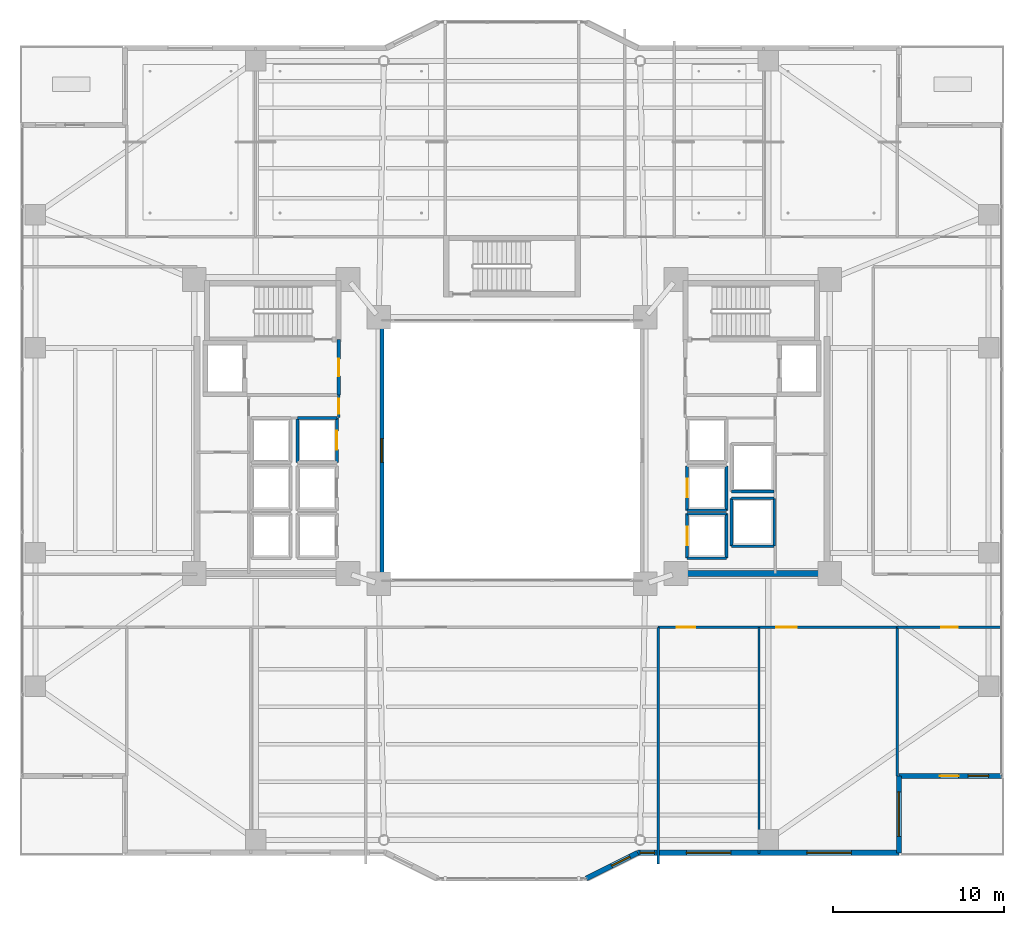
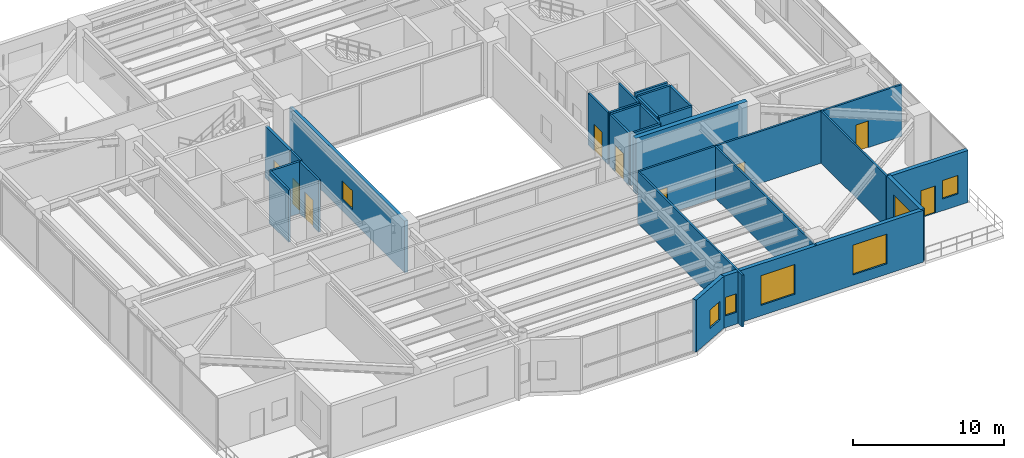
# One storey, part 30 of 39: 28 walls, 9 doors, 7 windows, 16 openings.
"""IFC4 building model written with IfcOpenShell, lengths in metres."""

from ifc_helpers import new_model, si_unit, direction, frame, frame_2d, origin, place, context, subcontext, project, spatial, rectangle, extrude, material, layer, layer_set, type_object, element, fill, save


model = new_model("IFC4")

# Units and contexts
model_context = context("Model", 3, precision=1e-05, world=origin(), true_north=direction((0.0, 1.0)))
body_context = subcontext(model_context, "Body", "Model", "MODEL_VIEW")
ifc_project = project(units=[si_unit("LENGTHUNIT", "METRE"), si_unit("AREAUNIT", "SQUARE_METRE"), si_unit("VOLUMEUNIT", "CUBIC_METRE"), si_unit("PLANEANGLEUNIT", "RADIAN"), si_unit("MASSUNIT", "GRAM", prefix="KILO")], contexts=[model_context])

# Site, building, storey
site_placement = place(None, origin())
site = spatial("IfcSite", under=ifc_project, at=site_placement, CompositionType="ELEMENT")
building_placement = place(site_placement, origin())
building = spatial("IfcBuilding", under=site, at=building_placement, Name="Tarnavaz Court Tower", CompositionType="ELEMENT")
storey_placement = place(building_placement, frame((0.0, 0.0, 68.699951171875)))
storey = spatial("IfcBuildingStorey", under=building, at=storey_placement, Name="L18", CompositionType="ELEMENT", Elevation=68.699951171875)

# Wall
ifc_material_1 = material(Name="Concrete C60/75", Category="concrete")
ifc_layer_1 = layer(ifc_material_1, 0.35009765625)
ifc_layer_set_1 = layer_set([ifc_layer_1], Name="Concrete C60/75")
wall_type_1 = type_object("IfcWallType", Name="WL-CORE-350-C60", PredefinedType="SHEAR", material=ifc_layer_set_1)
wall_1_placement = place(storey_placement, frame((10.074951171875, -7.199951171875, 0.0), z_axis=(0.0, 0.0, 1.0), x_axis=(1.0, 0.0, 0.0)))
element("IfcWall", 1, at=wall_1_placement, inside=storey, type_object=wall_type_1, Name="L18 East Core South Shear Wall 072", PredefinedType="SHEAR", context=body_context, shape_type="SweptSolid", body=[
    extrude(rectangle(XDim=8.550048828125, YDim=0.35009765625, at=frame_2d((4.27490234375, 0.0))), origin(), (0.0, 0.0, 1.0), 4.5),
])

# Wall, openings, door, window
ifc_material_2 = material(Name="Precast Concrete C40/50", Category="concrete")
ifc_layer_2 = layer(ifc_material_2, 0.300048828125)
ifc_layer_set_2 = layer_set([ifc_layer_2], Name="Precast Concrete C40/50")
wall_type_2 = type_object("IfcWallType", Name="WL-EXT-300", PredefinedType="SOLIDWALL", material=ifc_layer_set_2)
wall_2_placement = place(storey_placement, frame((28.64990234375, -19.050048828125, 0.0), z_axis=(0.0, 0.0, 1.0), x_axis=(-1.0, 0.0, 0.0)))
wall_2 = element("IfcWall", 2, at=wall_2_placement, inside=storey, type_object=wall_type_2, Name="L18 Exterior Terracotta Facade Wall 13", PredefinedType="SOLIDWALL", context=body_context, shape_type="SweptSolid", body=[
    extrude(rectangle(XDim=6.0, YDim=0.300048828125, at=frame_2d((3.0, 0.0))), origin(), (0.0, 0.0, 1.0), 4.199951171875),
])
opening_1_placement = place(wall_2_placement, frame((2.5, 0.0, 0.0)))
opening_1 = element("IfcOpeningElement", 3, at=opening_1_placement, cuts=wall_2, Name="Opening TD1", PredefinedType="OPENING", context=body_context, shape_type="SweptSolid", body=[
    extrude(rectangle(XDim=1.10009765625, YDim=2.199951171875, at=frame_2d((0.550048828125, 1.10009765625))), frame((0.0, 0.159912109375, 0.0), z_axis=(0.0, -1.0, 0.0), x_axis=(1.0, 0.0, 0.0)), (0.0, 0.0, 1.0), 0.320068359375),
])
opening_2_placement = place(wall_2_placement, frame((0.7548828125, 0.0, 0.949951171875)))
opening_2 = element("IfcOpeningElement", 4, at=opening_2_placement, cuts=wall_2, Name="Opening W05", PredefinedType="OPENING", context=body_context, shape_type="SweptSolid", body=[
    extrude(rectangle(XDim=1.199951171875, YDim=1.5, at=frame_2d((0.60009765625, 0.75))), frame((0.0, 0.159912109375, 0.0), z_axis=(0.0, -1.0, 0.0), x_axis=(1.0, 0.0, 0.0)), (0.0, 0.0, 1.0), 0.320068359375),
])
ifc_material_3 = material(Name="Thermally Broken Aluminium and Laminated Glass", Category="aluminium")
door_type_1 = type_object("IfcDoorType", Name="DR-TERR-1100", OperationType="NOTDEFINED", PredefinedType="DOOR", material=ifc_material_3)
door_1_placement = place(opening_1_placement, origin())
door_1 = element("IfcDoor", 5, at=door_1_placement, inside=storey, type_object=door_type_1, Name="L18 Sky Terrace Access Door 3", OperationType="SINGLE_SWING_LEFT", OverallHeight=2.199951171875, OverallWidth=1.10009765625, PredefinedType="DOOR", context=body_context, shape_type="SweptSolid", body=[
    extrude(rectangle(XDim=1.10009765625, YDim=2.199951171875, at=frame_2d((0.550048828125, 1.10009765625))), frame((0.0, 0.02490234375, 0.0), z_axis=(0.0, -1.0, 0.0), x_axis=(1.0, 0.0, 0.0)), (0.0, 0.0, 1.0), 0.050048828125),
])
fill(opening_1, door_1)
ifc_material_4 = material(Name="Double-Glazed Solar Low-E Glass", Category="glass")
window_type_1 = type_object("IfcWindowType", Name="WN-APT-1200", PartitioningType="SINGLE_PANEL", PredefinedType="WINDOW", material=ifc_material_4)
window_1_placement = place(opening_2_placement, origin())
window_1 = element("IfcWindow", 6, at=window_1_placement, inside=storey, type_object=window_type_1, Name="L18 L18 SE Terrace Salon Window", OverallHeight=1.5, OverallWidth=1.199951171875, PartitioningType="SINGLE_PANEL", PredefinedType="WINDOW", context=body_context, shape_type="SweptSolid", body=[
    extrude(rectangle(XDim=1.199951171875, YDim=1.5, at=frame_2d((0.60009765625, 0.75))), frame((0.0, 0.030029296875, 0.0), z_axis=(0.0, -1.0, 0.0), x_axis=(1.0, 0.0, 0.0)), (0.0, 0.0, 1.0), 0.06005859375),
])
fill(opening_2, window_1)

# Wall, opening, window
wall_3_placement = place(storey_placement, frame((22.64990234375, -19.050048828125, 0.0), z_axis=(0.0, 0.0, 1.0), x_axis=(0.0, -1.0, 0.0)))
wall_3 = element("IfcWall", 7, at=wall_3_placement, inside=storey, type_object=wall_type_2, Name="L18 Exterior Terracotta Facade Wall 14", PredefinedType="SOLIDWALL", context=body_context, shape_type="SweptSolid", body=[
    extrude(rectangle(XDim=4.5, YDim=0.300048828125, at=frame_2d((2.25, 0.0))), origin(), (0.0, 0.0, 1.0), 4.199951171875),
])
opening_3_placement = place(wall_3_placement, frame((0.9326171875, 0.0, 0.85009765625)))
opening_3 = element("IfcOpeningElement", 8, at=opening_3_placement, cuts=wall_3, Name="Opening W11", PredefinedType="OPENING", context=body_context, shape_type="SweptSolid", body=[
    extrude(rectangle(XDim=2.60009765625, YDim=2.39990234375, at=frame_2d((1.300048828125, 1.199951171875))), frame((0.0, 0.159912109375, 0.0), z_axis=(0.0, -1.0, 0.0), x_axis=(1.0, 0.0, 0.0)), (0.0, 0.0, 1.0), 0.320068359375),
])
window_type_2 = type_object("IfcWindowType", Name="WN-COM-2600", PartitioningType="TRIPLE_PANEL_VERTICAL", PredefinedType="WINDOW", material=ifc_material_4)
window_2_placement = place(opening_3_placement, origin())
window_2 = element("IfcWindow", 9, at=window_2_placement, inside=storey, type_object=window_type_2, Name="L18 Residents Cafe and Tea Room Window", OverallHeight=2.39990234375, OverallWidth=2.60009765625, PartitioningType="SINGLE_PANEL", PredefinedType="WINDOW", context=body_context, shape_type="SweptSolid", body=[
    extrude(rectangle(XDim=2.60009765625, YDim=2.39990234375, at=frame_2d((1.300048828125, 1.199951171875))), frame((0.0, 0.030029296875, 0.0), z_axis=(0.0, -1.0, 0.0), x_axis=(1.0, 0.0, 0.0)), (0.0, 0.0, 1.0), 0.06005859375),
])
fill(opening_3, window_2)

# Wall, openings, windows
wall_4_placement = place(storey_placement, frame((22.64990234375, -23.550048828125, 0.0), z_axis=(0.0, 0.0, 1.0), x_axis=(-1.0, 0.0, 0.0)))
wall_4 = element("IfcWall", 10, at=wall_4_placement, inside=storey, type_object=wall_type_2, Name="L18 Exterior Terracotta Facade Wall 15", PredefinedType="SOLIDWALL", context=body_context, shape_type="SweptSolid", body=[
    extrude(rectangle(XDim=15.2998046875, YDim=0.300048828125, at=frame_2d((7.64990234375, 0.0))), origin(), (0.0, 0.0, 1.0), 4.199951171875),
])
opening_4_placement = place(wall_4_placement, frame((2.788330078125, 0.0, 0.85009765625)))
opening_4 = element("IfcOpeningElement", 11, at=opening_4_placement, cuts=wall_4, Name="Opening W11", PredefinedType="OPENING", context=body_context, shape_type="SweptSolid", body=[
    extrude(rectangle(XDim=2.60009765625, YDim=2.39990234375, at=frame_2d((1.300048828125, 1.199951171875))), frame((0.0, 0.159912109375, 0.0), z_axis=(0.0, -1.0, 0.0), x_axis=(1.0, 0.0, 0.0)), (0.0, 0.0, 1.0), 0.320068359375),
])
opening_5_placement = place(wall_4_placement, frame((9.83642578125, 0.0, 0.85009765625)))
opening_5 = element("IfcOpeningElement", 12, at=opening_5_placement, cuts=wall_4, Name="Opening W11", PredefinedType="OPENING", context=body_context, shape_type="SweptSolid", body=[
    extrude(rectangle(XDim=2.60009765625, YDim=2.39990234375, at=frame_2d((1.300048828125, 1.199951171875))), frame((0.0, 0.159912109375, 0.0), z_axis=(0.0, -1.0, 0.0), x_axis=(1.0, 0.0, 0.0)), (0.0, 0.0, 1.0), 0.320068359375),
])
opening_6_placement = place(wall_4_placement, frame((14.30322265625, 0.0, 0.949951171875)))
opening_6 = element("IfcOpeningElement", 13, at=opening_6_placement, cuts=wall_4, Name="Opening W15", PredefinedType="OPENING", context=body_context, shape_type="SweptSolid", body=[
    extrude(rectangle(XDim=0.85009765625, YDim=1.5, at=frame_2d((0.425048828125, 0.75))), frame((0.0, 0.159912109375, 0.0), z_axis=(0.0, -1.0, 0.0), x_axis=(1.0, 0.0, 0.0)), (0.0, 0.0, 1.0), 0.320068359375),
])
window_type_3 = type_object("IfcWindowType", Name="WN-APT-850", PartitioningType="SINGLE_PANEL", PredefinedType="WINDOW", material=ifc_material_4)
window_3_placement = place(opening_6_placement, origin())
window_3 = element("IfcWindow", 14, at=window_3_placement, inside=storey, type_object=window_type_3, Name="L18 L18 Central Iwan Cultural Exhibition Hall Window", OverallHeight=1.5, OverallWidth=0.85009765625, PartitioningType="SINGLE_PANEL", PredefinedType="WINDOW", context=body_context, shape_type="SweptSolid", body=[
    extrude(rectangle(XDim=0.85009765625, YDim=1.5, at=frame_2d((0.425048828125, 0.75))), frame((0.0, 0.030029296875, 0.0), z_axis=(0.0, -1.0, 0.0), x_axis=(1.0, 0.0, 0.0)), (0.0, 0.0, 1.0), 0.06005859375),
])
fill(opening_6, window_3)
window_4_placement = place(opening_4_placement, origin())
window_4 = element("IfcWindow", 15, at=window_4_placement, inside=storey, type_object=window_type_2, Name="L18 Residents Cafe and Tea Room Window", OverallHeight=2.39990234375, OverallWidth=2.60009765625, PartitioningType="SINGLE_PANEL", PredefinedType="WINDOW", context=body_context, shape_type="SweptSolid", body=[
    extrude(rectangle(XDim=2.60009765625, YDim=2.39990234375, at=frame_2d((1.300048828125, 1.199951171875))), frame((0.0, 0.030029296875, 0.0), z_axis=(0.0, -1.0, 0.0), x_axis=(1.0, 0.0, 0.0)), (0.0, 0.0, 1.0), 0.06005859375),
])
fill(opening_4, window_4)
window_5_placement = place(opening_5_placement, origin())
window_5 = element("IfcWindow", 16, at=window_5_placement, inside=storey, type_object=window_type_2, Name="L18 L18 Residents Counseling Office Window", OverallHeight=2.39990234375, OverallWidth=2.60009765625, PartitioningType="SINGLE_PANEL", PredefinedType="WINDOW", context=body_context, shape_type="SweptSolid", body=[
    extrude(rectangle(XDim=2.60009765625, YDim=2.39990234375, at=frame_2d((1.300048828125, 1.199951171875))), frame((0.0, 0.030029296875, 0.0), z_axis=(0.0, -1.0, 0.0), x_axis=(1.0, 0.0, 0.0)), (0.0, 0.0, 1.0), 0.06005859375),
])
fill(opening_5, window_5)

# Wall, opening, window
wall_5_placement = place(storey_placement, frame((7.35009765625, -23.550048828125, 0.0), z_axis=(0.0, 0.0, 1.0), x_axis=(-0.894427191, -0.4472135955, 0.0)))
wall_5 = element("IfcWall", 17, at=wall_5_placement, inside=storey, type_object=wall_type_2, Name="L18 Exterior Terracotta Facade Wall 16", PredefinedType="SOLIDWALL", context=body_context, shape_type="SweptSolid", body=[
    extrude(rectangle(XDim=3.35400390625, YDim=0.300048828125, at=frame_2d((1.677001953125, 0.0))), origin(), (0.0, 0.0, 1.0), 4.199951171875),
])
opening_7_placement = place(wall_5_placement, frame((0.501220703125, 0.0, 0.949951171875)))
opening_7 = element("IfcOpeningElement", 18, at=opening_7_placement, cuts=wall_5, Name="Opening W05", PredefinedType="OPENING", context=body_context, shape_type="SweptSolid", body=[
    extrude(rectangle(XDim=1.199951171875, YDim=1.5, at=frame_2d((0.60009765625, 0.75))), frame((0.0, 0.159912109375, 0.0), z_axis=(0.0, -1.0, 0.0), x_axis=(1.0, 0.0, 0.0)), (0.0, 0.0, 1.0), 0.320068359375),
])
window_6_placement = place(opening_7_placement, origin())
window_6 = element("IfcWindow", 19, at=window_6_placement, inside=storey, type_object=window_type_1, Name="L18 L18 Central Iwan Cultural Exhibition Hall Window", OverallHeight=1.5, OverallWidth=1.199951171875, PartitioningType="SINGLE_PANEL", PredefinedType="WINDOW", context=body_context, shape_type="SweptSolid", body=[
    extrude(rectangle(XDim=1.199951171875, YDim=1.5, at=frame_2d((0.60009765625, 0.75))), frame((0.0, 0.030029296875, 0.0), z_axis=(0.0, -1.0, 0.0), x_axis=(1.0, 0.0, 0.0)), (0.0, 0.0, 1.0), 0.06005859375),
])
fill(opening_7, window_6)

# Wall, openings, doors
ifc_material_5 = material(Name="Gypsum Fire-Board on Acoustic Metal Stud", Category="masonry")
ifc_layer_3 = layer(ifc_material_5, 0.14990234375)
ifc_layer_set_3 = layer_set([ifc_layer_3], Name="Gypsum Fire-Board on Acoustic Metal Stud")
wall_type_3 = type_object("IfcWallType", Name="WL-FIRE-150", PredefinedType="PARTITIONING", material=ifc_layer_set_3)
wall_6_placement = place(storey_placement, frame((8.550048828125, -10.35009765625, 0.0), z_axis=(0.0, 0.0, 1.0), x_axis=(1.0, 0.0, 0.0)))
wall_6 = element("IfcWall", 20, at=wall_6_placement, inside=storey, type_object=wall_type_3, Name="L18 SE Corridor Wall 087", PredefinedType="PARTITIONING", context=body_context, shape_type="SweptSolid", body=[
    extrude(rectangle(XDim=14.0, YDim=0.14990234375, at=frame_2d((7.0, 0.0))), origin(), (0.0, 0.0, 1.0), 4.199951171875),
])
opening_8_placement = place(wall_6_placement, frame((1.10009765625, 0.0, 0.0)))
opening_8 = element("IfcOpeningElement", 21, at=opening_8_placement, cuts=wall_6, Name="Opening D12", PredefinedType="OPENING", context=body_context, shape_type="SweptSolid", body=[
    extrude(rectangle(XDim=1.080078125, YDim=2.14990234375, at=frame_2d((0.5400390625, 1.074951171875))), frame((0.0, 0.0849609375, 0.0), z_axis=(0.0, -1.0, 0.0), x_axis=(1.0, 0.0, 0.0)), (0.0, 0.0, 1.0), 0.169921875),
])
opening_9_placement = place(wall_6_placement, frame((6.908935546875, 0.0, 0.0)))
opening_9 = element("IfcOpeningElement", 22, at=opening_9_placement, cuts=wall_6, Name="Opening D11", PredefinedType="OPENING", context=body_context, shape_type="SweptSolid", body=[
    extrude(rectangle(XDim=1.199951171875, YDim=2.14990234375, at=frame_2d((0.60009765625, 1.074951171875))), frame((0.0, 0.0849609375, 0.0), z_axis=(0.0, -1.0, 0.0), x_axis=(1.0, 0.0, 0.0)), (0.0, 0.0, 1.0), 0.169921875),
])
ifc_material_6 = material(Name="Engineered Oak Timber", Category="wood")
door_type_2 = type_object("IfcDoorType", Name="DR-INT-1100", OperationType="NOTDEFINED", PredefinedType="DOOR", material=ifc_material_6)
door_2_placement = place(opening_8_placement, origin())
door_2 = element("IfcDoor", 23, at=door_2_placement, inside=storey, type_object=door_type_2, Name="L18 Counseling Office Door", OperationType="SINGLE_SWING_RIGHT", OverallHeight=2.14990234375, OverallWidth=1.080078125, PredefinedType="DOOR", context=body_context, shape_type="SweptSolid", body=[
    extrude(rectangle(XDim=1.080078125, YDim=2.14990234375, at=frame_2d((0.5400390625, 1.074951171875))), frame((0.0, 0.02490234375, 0.0), z_axis=(0.0, -1.0, 0.0), x_axis=(1.0, 0.0, 0.0)), (0.0, 0.0, 1.0), 0.050048828125),
])
fill(opening_8, door_2)
door_type_3 = type_object("IfcDoorType", Name="DR-INT-1200", OperationType="NOTDEFINED", PredefinedType="DOOR", material=ifc_material_6)
door_3_placement = place(opening_9_placement, origin())
door_3 = element("IfcDoor", 24, at=door_3_placement, inside=storey, type_object=door_type_3, Name="L18 Residents Cafe and Tea Room Door", OperationType="SINGLE_SWING_LEFT", OverallHeight=2.14990234375, OverallWidth=1.199951171875, PredefinedType="DOOR", context=body_context, shape_type="SweptSolid", body=[
    extrude(rectangle(XDim=1.199951171875, YDim=2.14990234375, at=frame_2d((0.60009765625, 1.074951171875))), frame((0.0, 0.02490234375, 0.0), z_axis=(0.0, -1.0, 0.0), x_axis=(1.0, 0.0, 0.0)), (0.0, 0.0, 1.0), 0.050048828125),
])
fill(opening_9, door_3)

# Wall, opening, door
wall_7_placement = place(storey_placement, frame((22.550048828125, -10.35009765625, 0.0), z_axis=(0.0, 0.0, 1.0), x_axis=(1.0, 0.0, 0.0)))
wall_7 = element("IfcWall", 25, at=wall_7_placement, inside=storey, type_object=wall_type_3, Name="L18 Interior Partition 109", PredefinedType="PARTITIONING", context=body_context, shape_type="SweptSolid", body=[
    extrude(rectangle(XDim=6.1298828125, YDim=0.14990234375, at=frame_2d((3.06494140625, 0.0))), origin(), (0.0, 0.0, 1.0), 4.199951171875),
])
opening_10_placement = place(wall_7_placement, frame((2.590087890625, 0.0, 0.0)))
opening_10 = element("IfcOpeningElement", 26, at=opening_10_placement, cuts=wall_7, Name="Opening D13", PredefinedType="OPENING", context=body_context, shape_type="SweptSolid", body=[
    extrude(rectangle(XDim=0.949951171875, YDim=2.14990234375, at=frame_2d((0.47509765625, 1.074951171875))), frame((0.0, 0.0849609375, 0.0), z_axis=(0.0, -1.0, 0.0), x_axis=(1.0, 0.0, 0.0)), (0.0, 0.0, 1.0), 0.169921875),
])
door_type_4 = type_object("IfcDoorType", Name="DR-INT-950", OperationType="NOTDEFINED", PredefinedType="DOOR", material=ifc_material_6)
door_4_placement = place(opening_10_placement, origin())
door_4 = element("IfcDoor", 27, at=door_4_placement, inside=storey, type_object=door_type_4, Name="L18 SE Terrace Salon Door", OperationType="SINGLE_SWING_LEFT", OverallHeight=2.14990234375, OverallWidth=0.949951171875, PredefinedType="DOOR", context=body_context, shape_type="SweptSolid", body=[
    extrude(rectangle(XDim=0.949951171875, YDim=2.14990234375, at=frame_2d((0.47509765625, 1.074951171875))), frame((0.0, 0.02490234375, 0.0), z_axis=(0.0, -1.0, 0.0), x_axis=(1.0, 0.0, 0.0)), (0.0, 0.0, 1.0), 0.050048828125),
])
fill(opening_10, door_4)

ifc_material_7 = material(Name="Autoclaved Aerated Concrete Blockwork", Category="masonry")
ifc_layer_4 = layer(ifc_material_7, 0.199951171875)
ifc_layer_set_4 = layer_set([ifc_layer_4], Name="Autoclaved Aerated Concrete Blockwork")
wall_type_4 = type_object("IfcWallType", Name="WL-FIRE-200", PredefinedType="SOLIDWALL", material=ifc_layer_set_4)
wall_8_placement = place(storey_placement, frame((-10.14990234375, 3.25, 0.0), z_axis=(0.0, 0.0, 1.0), x_axis=(0.0, 1.0, 0.0)))
wall_8 = element("IfcWall", 28, at=wall_8_placement, inside=storey, type_object=wall_type_4, Name="L18 West Firefighting Lobby Wall 014", PredefinedType="SOLIDWALL", context=body_context, shape_type="SweptSolid", body=[
    extrude(rectangle(XDim=3.25, YDim=0.199951171875, at=frame_2d((1.625, 0.0))), origin(), (0.0, 0.0, 1.0), 4.199951171875),
])
opening_11_placement = place(wall_8_placement, frame((1.10009765625, 0.0, 0.0)))
opening_11 = element("IfcOpeningElement", 29, at=opening_11_placement, cuts=wall_8, Name="Opening D05", PredefinedType="OPENING", context=body_context, shape_type="SweptSolid", body=[
    extrude(rectangle(XDim=1.02001953125, YDim=2.14990234375, at=frame_2d((0.510009765625, 1.074951171875))), frame((0.0, 0.10986328125, 0.0), z_axis=(0.0, -1.0, 0.0), x_axis=(1.0, 0.0, 0.0)), (0.0, 0.0, 1.0), 0.219970703125),
])
ifc_material_8 = material(Name="Fire-Rated Hardwood Timber Core", Category="wood")
door_type_5 = type_object("IfcDoorType", Name="DR-FD60-1000", OperationType="NOTDEFINED", PredefinedType="DOOR", material=ifc_material_8)
door_5_placement = place(opening_11_placement, origin())
door_5 = element("IfcDoor", 30, at=door_5_placement, inside=storey, type_object=door_type_5, Name="L18 West Firefighting Lobby Door", OperationType="SINGLE_SWING_RIGHT", OverallHeight=2.14990234375, OverallWidth=1.02001953125, PredefinedType="DOOR", context=body_context, shape_type="SweptSolid", body=[
    extrude(rectangle(XDim=1.02001953125, YDim=2.14990234375, at=frame_2d((0.510009765625, 1.074951171875))), frame((0.0, 0.02490234375, 0.0), z_axis=(0.0, -1.0, 0.0), x_axis=(1.0, 0.0, 0.0)), (0.0, 0.0, 1.0), 0.050048828125),
])
fill(opening_11, door_5)

ifc_material_9 = material(Name="Gypsum Plasterboard Acoustic Partition", Category="masonry")
ifc_layer_5 = layer(ifc_material_9, 0.139892578125)
ifc_layer_set_5 = layer_set([ifc_layer_5], Name="Gypsum Plasterboard Acoustic Partition")
wall_type_5 = type_object("IfcWallType", Name="WL-PART-150", PredefinedType="PARTITIONING", material=ifc_layer_set_5)
wall_9_placement = place(storey_placement, frame((-10.14990234375, 1.919921875, 0.0), z_axis=(0.0, 0.0, 1.0), x_axis=(0.0, 1.0, 0.0)))
wall_9 = element("IfcWall", 31, at=wall_9_placement, inside=storey, type_object=wall_type_5, Name="L18 Interior Partition 074", PredefinedType="PARTITIONING", context=body_context, shape_type="SweptSolid", body=[
    extrude(rectangle(XDim=1.330078125, YDim=0.139892578125, at=frame_2d((0.6650390625, 0.0))), origin(), (0.0, 0.0, 1.0), 4.199951171875),
])
opening_12_placement = place(wall_9_placement, frame((0.219970703125, 0.0, 0.0)))
opening_12 = element("IfcOpeningElement", 32, at=opening_12_placement, cuts=wall_9, Name="Opening D09", PredefinedType="OPENING", context=body_context, shape_type="SweptSolid", body=[
    extrude(rectangle(XDim=0.89990234375, YDim=2.080078125, at=frame_2d((0.449951171875, 1.0400390625))), frame((0.0, 0.079833984375, 0.0), z_axis=(0.0, -1.0, 0.0), x_axis=(1.0, 0.0, 0.0)), (0.0, 0.0, 1.0), 0.159912109375),
])
door_type_6 = type_object("IfcDoorType", Name="DR-FD30-900", OperationType="NOTDEFINED", PredefinedType="DOOR", material=ifc_material_8)
door_6_placement = place(opening_12_placement, origin())
door_6 = element("IfcDoor", 33, at=door_6_placement, inside=storey, type_object=door_type_6, Name="L18 West Core Service Lobby Door", OperationType="SINGLE_SWING_RIGHT", OverallHeight=2.080078125, OverallWidth=0.89990234375, PredefinedType="DOOR", context=body_context, shape_type="SweptSolid", body=[
    extrude(rectangle(XDim=0.89990234375, YDim=2.080078125, at=frame_2d((0.449951171875, 1.0400390625))), frame((0.0, 0.02490234375, 0.0), z_axis=(0.0, -1.0, 0.0), x_axis=(1.0, 0.0, 0.0)), (0.0, 0.0, 1.0), 0.050048828125),
])
fill(opening_12, door_6)

# Walls
wall_10_placement = place(storey_placement, frame((8.550048828125, -24.2041015625, 0.0), z_axis=(0.0, 0.0, 1.0), x_axis=(0.0, 1.0, 0.0)))
element("IfcWall", 34, at=wall_10_placement, inside=storey, type_object=wall_type_5, Name="L18 Interior Partition 096", PredefinedType="PARTITIONING", context=body_context, shape_type="SweptSolid", body=[
    extrude(rectangle(XDim=13.85400390625, YDim=0.139892578125, at=frame_2d((6.927001953125, 0.0))), origin(), (0.0, 0.0, 1.0), 4.199951171875),
])
wall_11_placement = place(storey_placement, frame((14.458984375, -23.60009765625, 0.0), z_axis=(0.0, 0.0, 1.0), x_axis=(0.0, 1.0, 0.0)))
element("IfcWall", 35, at=wall_11_placement, inside=storey, type_object=wall_type_5, Name="L18 Interior Partition 097", PredefinedType="PARTITIONING", context=body_context, shape_type="SweptSolid", body=[
    extrude(rectangle(XDim=13.25, YDim=0.139892578125, at=frame_2d((6.625, 0.0))), origin(), (0.0, 0.0, 1.0), 4.199951171875),
])
wall_12_placement = place(storey_placement, frame((22.550048828125, -19.050048828125, 0.0), z_axis=(0.0, 0.0, 1.0), x_axis=(0.0, 1.0, 0.0)))
element("IfcWall", 36, at=wall_12_placement, inside=storey, type_object=wall_type_5, Name="L18 Interior Partition 103", PredefinedType="PARTITIONING", context=body_context, shape_type="SweptSolid", body=[
    extrude(rectangle(XDim=8.699951171875, YDim=0.139892578125, at=frame_2d((4.35009765625, 0.0))), origin(), (0.0, 0.0, 1.0), 4.199951171875),
])
ifc_layer_6 = layer(ifc_material_7, 0.159912109375)
ifc_layer_set_6 = layer_set([ifc_layer_6], Name="Autoclaved Aerated Concrete Blockwork")
wall_type_6 = type_object("IfcWallType", Name="WL-SHAFT-150", PredefinedType="SOLIDWALL", material=ifc_layer_set_6)
wall_13_placement = place(storey_placement, frame((-12.550048828125, -0.699951171875, 0.0), z_axis=(0.0, 0.0, 1.0), x_axis=(0.0, 1.0, 0.0)))
element("IfcWall", 37, at=wall_13_placement, inside=storey, type_object=wall_type_6, Name="L18 Lift PL-L3 Shaft Wall 029", PredefinedType="SOLIDWALL", context=body_context, shape_type="SweptSolid", body=[
    extrude(rectangle(XDim=2.599853515625, YDim=0.159912109375, at=frame_2d((1.2998046875, 0.0))), origin(), (0.0, 0.0, 1.0), 4.199951171875),
])

# Wall, opening, door
wall_14_placement = place(storey_placement, frame((-10.25, -0.699951171875, 0.0), z_axis=(0.0, 0.0, 1.0), x_axis=(0.0, 1.0, 0.0)))
wall_14 = element("IfcWall", 38, at=wall_14_placement, inside=storey, type_object=wall_type_6, Name="L18 Lift PL-L3 Shaft Wall 030", PredefinedType="SOLIDWALL", context=body_context, shape_type="SweptSolid", body=[
    extrude(rectangle(XDim=2.599853515625, YDim=0.159912109375, at=frame_2d((1.2998046875, 0.0))), origin(), (0.0, 0.0, 1.0), 4.199951171875),
])
opening_13_placement = place(wall_14_placement, frame((0.75, 0.0, 0.0)))
opening_13 = element("IfcOpeningElement", 39, at=opening_13_placement, cuts=wall_14, Name="Opening LD1", PredefinedType="OPENING", context=body_context, shape_type="SweptSolid", body=[
    extrude(rectangle(XDim=1.10009765625, YDim=2.14990234375, at=frame_2d((0.550048828125, 1.074951171875))), frame((0.0, 0.08984375, 0.0), z_axis=(0.0, -1.0, 0.0), x_axis=(1.0, 0.0, 0.0)), (0.0, 0.0, 1.0), 0.179931640625),
])
ifc_material_10 = material(Name="Stainless Steel", Category="steel")
door_type_7 = type_object("IfcDoorType", Name="DR-LD-1100", OperationType="NOTDEFINED", PredefinedType="DOOR", material=ifc_material_10)
door_7_placement = place(opening_13_placement, origin())
door_7 = element("IfcDoor", 40, at=door_7_placement, inside=storey, type_object=door_type_7, Name="L18 Lift Landing Door LD-PL-L3", OperationType="SLIDING_TO_LEFT", OverallHeight=2.14990234375, OverallWidth=1.10009765625, PredefinedType="DOOR", context=body_context, shape_type="SweptSolid", body=[
    extrude(rectangle(XDim=1.10009765625, YDim=2.14990234375, at=frame_2d((0.550048828125, 1.074951171875))), frame((0.0, 0.02490234375, 0.0), z_axis=(0.0, -1.0, 0.0), x_axis=(1.0, 0.0, 0.0)), (0.0, 0.0, 1.0), 0.050048828125),
])
fill(opening_13, door_7)

# Wall
wall_15_placement = place(storey_placement, frame((-12.550048828125, 1.89990234375, 0.0), z_axis=(0.0, 0.0, 1.0), x_axis=(1.0, 0.0, 0.0)))
element("IfcWall", 41, at=wall_15_placement, inside=storey, type_object=wall_type_6, Name="L18 Lift PL-L3 Shaft Wall 032", PredefinedType="SOLIDWALL", context=body_context, shape_type="SweptSolid", body=[
    extrude(rectangle(XDim=2.300048828125, YDim=0.159912109375, at=frame_2d((1.14990234375, 0.0))), origin(), (0.0, 0.0, 1.0), 4.199951171875),
])

# Wall, opening, door
wall_16_placement = place(storey_placement, frame((10.25, -6.300048828125, 0.0), z_axis=(0.0, 0.0, 1.0), x_axis=(0.0, 1.0, 0.0)))
wall_16 = element("IfcWall", 42, at=wall_16_placement, inside=storey, type_object=wall_type_6, Name="L18 Lift PL-M1 Shaft Wall 049", PredefinedType="SOLIDWALL", context=body_context, shape_type="SweptSolid", body=[
    extrude(rectangle(XDim=2.60009765625, YDim=0.159912109375, at=frame_2d((1.300048828125, 0.0))), origin(), (0.0, 0.0, 1.0), 4.199951171875),
])
opening_14_placement = place(wall_16_placement, frame((0.75, 0.0, 0.0)))
opening_14 = element("IfcOpeningElement", 43, at=opening_14_placement, cuts=wall_16, Name="Opening LD1", PredefinedType="OPENING", context=body_context, shape_type="SweptSolid", body=[
    extrude(rectangle(XDim=1.10009765625, YDim=2.14990234375, at=frame_2d((0.550048828125, 1.074951171875))), frame((0.0, 0.08984375, 0.0), z_axis=(0.0, -1.0, 0.0), x_axis=(1.0, 0.0, 0.0)), (0.0, 0.0, 1.0), 0.179931640625),
])
door_8_placement = place(opening_14_placement, origin())
door_8 = element("IfcDoor", 44, at=door_8_placement, inside=storey, type_object=door_type_7, Name="L18 Lift Landing Door LD-PL-M1", OperationType="SLIDING_TO_LEFT", OverallHeight=2.14990234375, OverallWidth=1.10009765625, PredefinedType="DOOR", context=body_context, shape_type="SweptSolid", body=[
    extrude(rectangle(XDim=1.10009765625, YDim=2.14990234375, at=frame_2d((0.550048828125, 1.074951171875))), frame((0.0, 0.02490234375, 0.0), z_axis=(0.0, -1.0, 0.0), x_axis=(1.0, 0.0, 0.0)), (0.0, 0.0, 1.0), 0.050048828125),
])
fill(opening_14, door_8)

# Walls
wall_17_placement = place(storey_placement, frame((12.550048828125, -6.300048828125, 0.0), z_axis=(0.0, 0.0, 1.0), x_axis=(0.0, 1.0, 0.0)))
element("IfcWall", 45, at=wall_17_placement, inside=storey, type_object=wall_type_6, Name="L18 Lift PL-M1 Shaft Wall 050", PredefinedType="SOLIDWALL", context=body_context, shape_type="SweptSolid", body=[
    extrude(rectangle(XDim=2.60009765625, YDim=0.159912109375, at=frame_2d((1.300048828125, 0.0))), origin(), (0.0, 0.0, 1.0), 4.199951171875),
])
for number, where, z_axis, x_axis, name in (
    (46, (10.25, -6.300048828125, 0.0), (0.0, 0.0, 1.0), (1.0, 0.0, 0.0), "L18 Lift PL-M1 Shaft Wall 051"),
    (47, (10.25, -3.699951171875, 0.0), (0.0, 0.0, 1.0), (1.0, 0.0, 0.0), "L18 Lift PL-M1 Shaft Wall 052"),
):
    element("IfcWall", number, at=place(storey_placement, frame(where, z_axis=z_axis, x_axis=x_axis)), inside=storey, type_object=wall_type_6, Name=name, PredefinedType="SOLIDWALL", context=body_context, shape_type="SweptSolid", body=[
        extrude(rectangle(XDim=2.300048828125, YDim=0.159912109375, at=frame_2d((1.14990234375, 0.0))), origin(), (0.0, 0.0, 1.0), 4.199951171875),
    ])

# Wall, opening, door
wall_18_placement = place(storey_placement, frame((10.25, -3.5, 0.0), z_axis=(0.0, 0.0, 1.0), x_axis=(0.0, 1.0, 0.0)))
wall_18 = element("IfcWall", 48, at=wall_18_placement, inside=storey, type_object=wall_type_6, Name="L18 Lift PL-M2 Shaft Wall 053", PredefinedType="SOLIDWALL", context=body_context, shape_type="SweptSolid", body=[
    extrude(rectangle(XDim=2.60009765625, YDim=0.159912109375, at=frame_2d((1.300048828125, 0.0))), origin(), (0.0, 0.0, 1.0), 4.199951171875),
])
opening_15_placement = place(wall_18_placement, frame((0.75, 0.0, 0.0)))
opening_15 = element("IfcOpeningElement", 49, at=opening_15_placement, cuts=wall_18, Name="Opening LD1", PredefinedType="OPENING", context=body_context, shape_type="SweptSolid", body=[
    extrude(rectangle(XDim=1.10009765625, YDim=2.14990234375, at=frame_2d((0.550048828125, 1.074951171875))), frame((0.0, 0.08984375, 0.0), z_axis=(0.0, -1.0, 0.0), x_axis=(1.0, 0.0, 0.0)), (0.0, 0.0, 1.0), 0.179931640625),
])
door_9_placement = place(opening_15_placement, origin())
door_9 = element("IfcDoor", 50, at=door_9_placement, inside=storey, type_object=door_type_7, Name="L18 Lift Landing Door LD-PL-M2", OperationType="SLIDING_TO_LEFT", OverallHeight=2.14990234375, OverallWidth=1.10009765625, PredefinedType="DOOR", context=body_context, shape_type="SweptSolid", body=[
    extrude(rectangle(XDim=1.10009765625, YDim=2.14990234375, at=frame_2d((0.550048828125, 1.074951171875))), frame((0.0, 0.02490234375, 0.0), z_axis=(0.0, -1.0, 0.0), x_axis=(1.0, 0.0, 0.0)), (0.0, 0.0, 1.0), 0.050048828125),
])
fill(opening_15, door_9)

# Walls
wall_19_placement = place(storey_placement, frame((12.550048828125, -3.5, 0.0), z_axis=(0.0, 0.0, 1.0), x_axis=(0.0, 1.0, 0.0)))
element("IfcWall", 51, at=wall_19_placement, inside=storey, type_object=wall_type_6, Name="L18 Lift PL-M2 Shaft Wall 054", PredefinedType="SOLIDWALL", context=body_context, shape_type="SweptSolid", body=[
    extrude(rectangle(XDim=2.60009765625, YDim=0.159912109375, at=frame_2d((1.300048828125, 0.0))), origin(), (0.0, 0.0, 1.0), 4.199951171875),
])
wall_20_placement = place(storey_placement, frame((10.25, -3.5, 0.0), z_axis=(0.0, 0.0, 1.0), x_axis=(1.0, 0.0, 0.0)))
element("IfcWall", 52, at=wall_20_placement, inside=storey, type_object=wall_type_6, Name="L18 Lift PL-M2 Shaft Wall 055", PredefinedType="SOLIDWALL", context=body_context, shape_type="SweptSolid", body=[
    extrude(rectangle(XDim=2.300048828125, YDim=0.159912109375, at=frame_2d((1.14990234375, 0.0))), origin(), (0.0, 0.0, 1.0), 4.199951171875),
])
for number, where, z_axis, x_axis, name in (
    (53, (12.85009765625, -5.60009765625, 0.0), (0.0, 0.0, 1.0), (0.0, 1.0, 0.0), "L18 Lift PL-OB1 Shaft Wall 061"),
    (54, (15.35009765625, -5.60009765625, 0.0), (0.0, 0.0, 1.0), (0.0, 1.0, 0.0), "L18 Lift PL-OB1 Shaft Wall 062"),
):
    element("IfcWall", number, at=place(storey_placement, frame(where, z_axis=z_axis, x_axis=x_axis)), inside=storey, type_object=wall_type_6, Name=name, PredefinedType="SOLIDWALL", context=body_context, shape_type="SweptSolid", body=[
        extrude(rectangle(XDim=2.800048828125, YDim=0.159912109375, at=frame_2d((1.39990234375, 0.0))), origin(), (0.0, 0.0, 1.0), 4.199951171875),
    ])
for number, where, z_axis, x_axis, name in (
    (55, (12.85009765625, -5.60009765625, 0.0), (0.0, 0.0, 1.0), (1.0, 0.0, 0.0), "L18 Lift PL-OB1 Shaft Wall 063"),
    (56, (12.85009765625, -2.800048828125, 0.0), (0.0, 0.0, 1.0), (1.0, 0.0, 0.0), "L18 Lift PL-OB1 Shaft Wall 064"),
    (57, (12.85009765625, -2.39990234375, 0.0), (0.0, 0.0, 1.0), (1.0, 0.0, 0.0), "L18 Lift PL-OB2 Shaft Wall 067"),
):
    element("IfcWall", number, at=place(storey_placement, frame(where, z_axis=z_axis, x_axis=x_axis)), inside=storey, type_object=wall_type_6, Name=name, PredefinedType="SOLIDWALL", context=body_context, shape_type="SweptSolid", body=[
        extrude(rectangle(XDim=2.5, YDim=0.159912109375, at=frame_2d((1.25, 0.0))), origin(), (0.0, 0.0, 1.0), 4.199951171875),
    ])

# Wall, opening, window
ifc_layer_7 = layer(ifc_material_2, 0.239990234375)
ifc_layer_set_7 = layer_set([ifc_layer_7], Name="Precast Concrete C40/50")
wall_type_7 = type_object("IfcWallType", Name="WL-WELL-240", PredefinedType="SOLIDWALL", material=ifc_layer_set_7)
wall_21_placement = place(storey_placement, frame((-7.6201171875, 7.6201171875, 0.0), z_axis=(0.0, 0.0, 1.0), x_axis=(0.0, -1.0, 0.0)))
wall_21 = element("IfcWall", 58, at=wall_21_placement, inside=storey, type_object=wall_type_7, Name="L18 Badgir Light-Well Exterior Wall W", PredefinedType="SOLIDWALL", context=body_context, shape_type="SweptSolid", body=[
    extrude(rectangle(XDim=15.240234375, YDim=0.239990234375, at=frame_2d((7.6201171875, 0.0))), origin(), (0.0, 0.0, 1.0), 4.199951171875),
])
opening_16_placement = place(wall_21_placement, frame((6.919921875, 0.0, 0.949951171875)))
opening_16 = element("IfcOpeningElement", 59, at=opening_16_placement, cuts=wall_21, Name="Opening W13", PredefinedType="OPENING", context=body_context, shape_type="SweptSolid", body=[
    extrude(rectangle(XDim=1.39990234375, YDim=1.5, at=frame_2d((0.699951171875, 0.75))), frame((0.0, 0.1298828125, 0.0), z_axis=(0.0, -1.0, 0.0), x_axis=(1.0, 0.0, 0.0)), (0.0, 0.0, 1.0), 0.260009765625),
])
window_type_4 = type_object("IfcWindowType", Name="WN-WEL-1400", PartitioningType="SINGLE_PANEL", PredefinedType="WINDOW", material=ifc_material_4)
window_7_placement = place(opening_16_placement, origin())
window_7 = element("IfcWindow", 60, at=window_7_placement, inside=storey, type_object=window_type_4, Name="L18 Courtyard Gallery Window W", OverallHeight=1.5, OverallWidth=1.39990234375, PartitioningType="SINGLE_PANEL", PredefinedType="WINDOW", context=body_context, shape_type="SweptSolid", body=[
    extrude(rectangle(XDim=1.39990234375, YDim=1.5, at=frame_2d((0.699951171875, 0.75))), frame((0.0, 0.030029296875, 0.0), z_axis=(0.0, -1.0, 0.0), x_axis=(1.0, 0.0, 0.0)), (0.0, 0.0, 1.0), 0.06005859375),
])
fill(opening_16, window_7)

save(model, "model.ifc")
